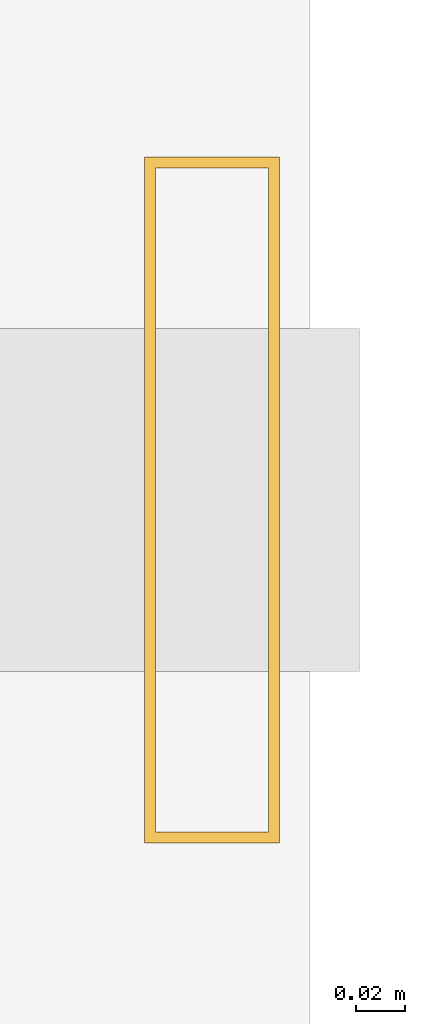
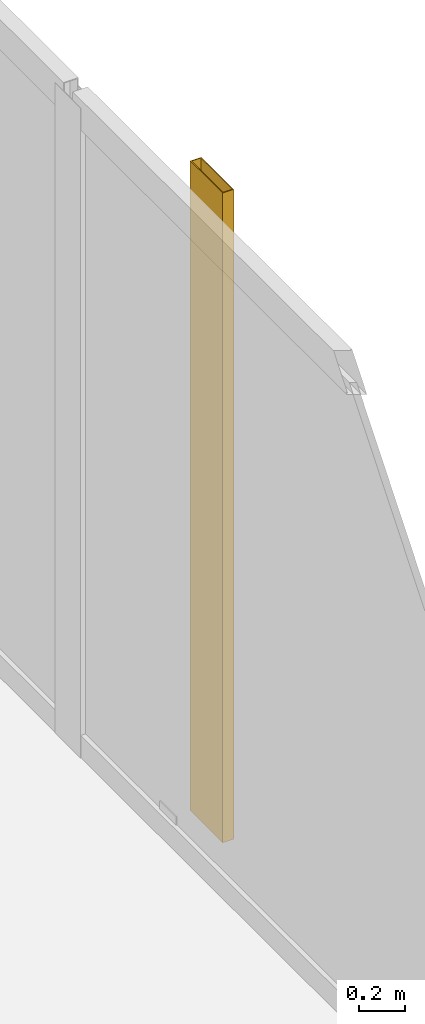
# One storey, part 23 of 23: 1 shading device.
"""IFC4 building model written with IfcOpenShell, lengths in metres."""

from ifc_helpers import new_model, si_unit, direction, frame, origin, origin_2d, place, context, subcontext, project, spatial, hollow_rectangle, extrude, material, material_profile, profile_set, type_object, element, save


model = new_model("IFC4")

# Units and contexts
model_context = context("Model", 3, precision=1e-05, world=origin(), true_north=direction((0.0, 1.0)))
body_context = subcontext(model_context, "Body", "Model", "MODEL_VIEW")
ifc_project = project(units=[si_unit("LENGTHUNIT", "METRE"), si_unit("AREAUNIT", "SQUARE_METRE"), si_unit("VOLUMEUNIT", "CUBIC_METRE"), si_unit("PLANEANGLEUNIT", "RADIAN"), si_unit("MASSUNIT", "GRAM", prefix="KILO")], contexts=[model_context])

# Site, building, storey
site_placement = place(None, origin())
site = spatial("IfcSite", under=ifc_project, at=site_placement, CompositionType="ELEMENT")
building_placement = place(site_placement, origin())
building = spatial("IfcBuilding", under=site, at=building_placement, Name="Kolvaren Waterfront Exchange", CompositionType="ELEMENT")
storey_placement = place(building_placement, frame((0.0, 0.0, 335.0)))
storey = spatial("IfcBuildingStorey", under=building, at=storey_placement, Name="L86", CompositionType="ELEMENT", Elevation=335.0)

# Shading device
ifc_material = material(Name="Anodised bronze aluminium 6063-T6", Category="aluminium")
ifc_material_profile = material_profile(ifc_material, hollow_rectangle(XDim=0.054931640625, YDim=0.280029296875, WallThickness=0.00439453125, at=origin_2d()), Name="BRZ-FIN-280x55x4.5")
ifc_profile_set = profile_set([ifc_material_profile], Name="Anodised bronze aluminium 6063-T6")
shading_device_type = type_object("IfcShadingDeviceType", Name="ARC-FIN-280", PredefinedType="USERDEFINED", material=ifc_profile_set)
shading_device_placement = place(storey_placement, frame((21.159912109375, 38.39990234375, 0.0), z_axis=(0.0, 0.0, 1.0), x_axis=(1.0, 0.0, 0.0)))
element("IfcShadingDevice", 1, at=shading_device_placement, inside=storey, type_object=shading_device_type, Name="L86 anodised bronze solar shading fin FIN-L86-E3", ObjectType="SOLAR FIN", PredefinedType="USERDEFINED", context=body_context, shape_type="SweptSolid", body=[
    extrude(hollow_rectangle(XDim=0.054931640625, YDim=0.280029296875, WallThickness=0.00439453125, at=origin_2d()), origin(), (0.0, 0.0, 1.0), 3.419921875),
])

save(model, "model.ifc")
